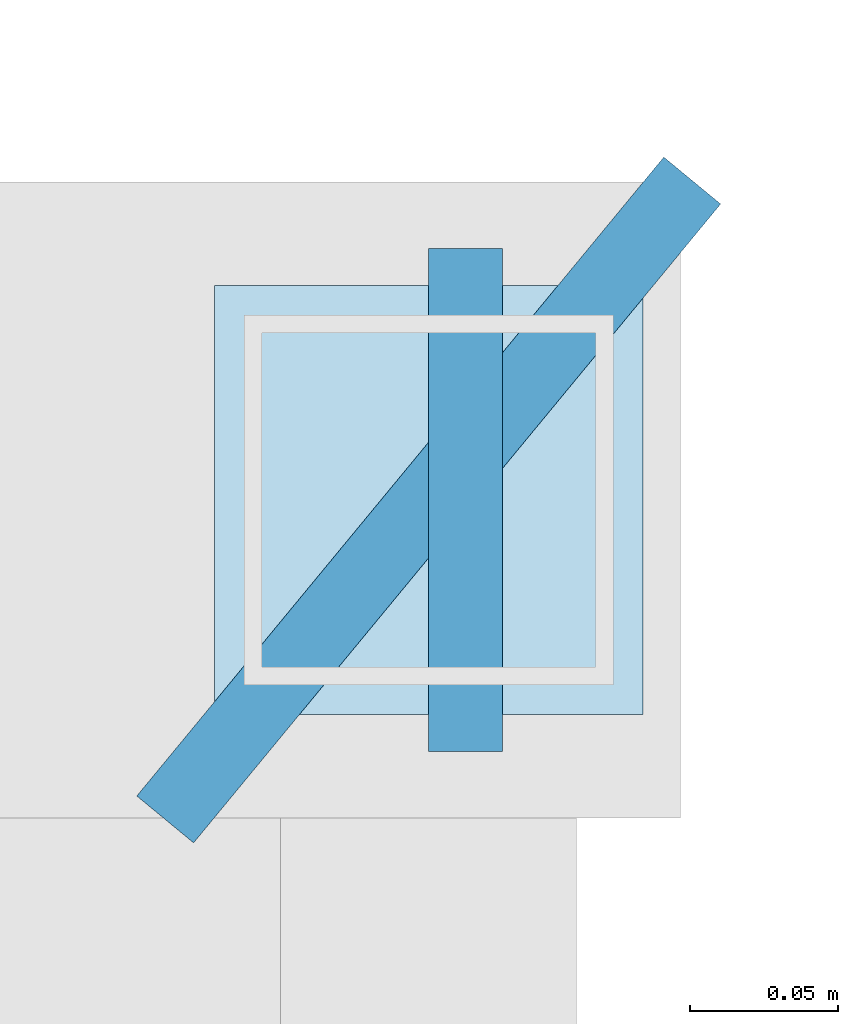
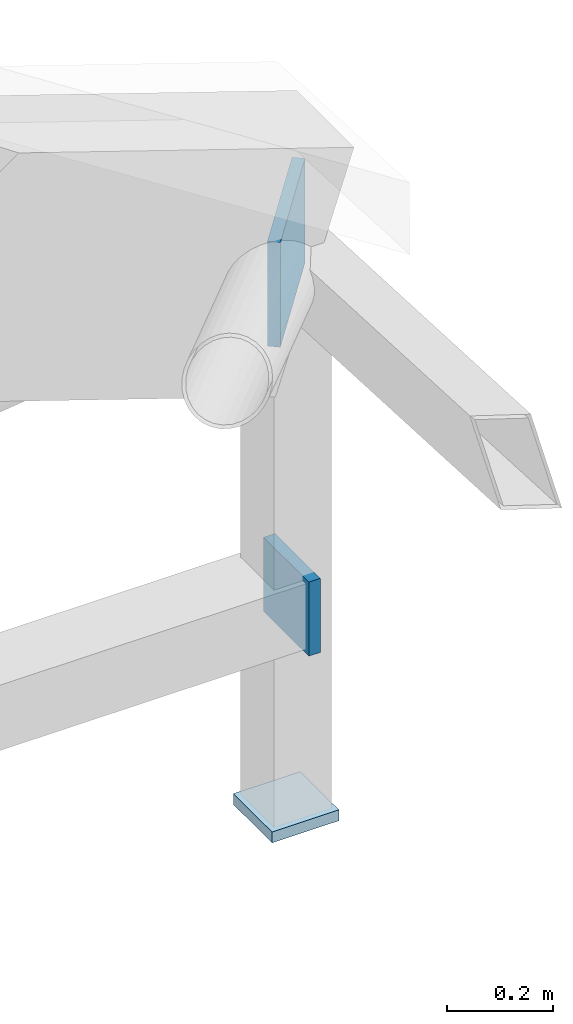
# One storey, part 107 of 134: 3 plates.
"""IFC4 building model written with IfcOpenShell, lengths in metres."""

import ifcopenshell
import ifcopenshell.guid

model = None  # the IFC model being written
_history = None  # IfcOwnerHistory: only IFC2X3 demands one
_inside = {}  # id of a spatial element -> (the spatial element, [elements in it])
_under = {}  # id of a project, library or spatial element -> (it, [spatial elements below it])
_declared = {}  # id of a project -> (the project, [libraries it declares])
_typed = {}  # id of a type object -> (the type object, [elements of that type])
_made_of = {}  # id of a material, layer set ... -> (it, [elements and type objects made of it])


def new_model(schema):
    """Start an empty IFC model of exactly this schema.

    Asked for "IFC4X3", IfcOpenShell would pick the latest addendum, in which some entities
    have other attributes; the version numbers below select the first issue.
    IFC2X3 requires an IfcOwnerHistory on every rooted entity: one is made here for all.
    """
    global model, _history
    if schema == "IFC4X3":
        model = ifcopenshell.file(schema_version=(4, 3, 0, 0))
    else:
        model = ifcopenshell.file(schema=schema)
    _inside.clear()
    _under.clear()
    _declared.clear()
    _typed.clear()
    _made_of.clear()
    _history = None
    if model.schema == "IFC2X3":
        org = make("IfcOrganization", Name="unknown")
        user = make(
            "IfcPersonAndOrganization",
            ThePerson=make("IfcPerson", FamilyName="unknown"),
            TheOrganization=org,
        )
        app = make(
            "IfcApplication",
            ApplicationDeveloper=org,
            Version="unknown",
            ApplicationFullName="unknown",
            ApplicationIdentifier="unknown",
        )
        _history = make(
            "IfcOwnerHistory",
            OwningUser=user,
            OwningApplication=app,
            ChangeAction="ADDED",
            CreationDate=0,
        )
    return model


def make(cls, **values):
    """One entity of the class cls with the attributes given. An attribute that is None is left unset."""
    return model.create_entity(
        cls, **{name: value for name, value in values.items() if value is not None}
    )


def rooted(cls, **values):
    """An entity with a GlobalId (a new one), such as an element, a storey or a relation."""
    return make(cls, GlobalId=ifcopenshell.guid.new(), OwnerHistory=_history, **values)


def si_unit(unit_type, name, prefix=None):
    """IfcSIUnit, for example si_unit("LENGTHUNIT", "METRE", prefix="MILLI")."""
    return make("IfcSIUnit", UnitType=unit_type, Prefix=prefix, Name=name)


def assignment(units):
    """IfcUnitAssignment: the units of a project."""
    return None if units is None else make("IfcUnitAssignment", Units=units)


def point(xyz):
    """IfcCartesianPoint."""
    return None if xyz is None else make("IfcCartesianPoint", Coordinates=xyz)


def direction(xyz):
    """IfcDirection."""
    return None if xyz is None else make("IfcDirection", DirectionRatios=xyz)


def frame(location, z_axis=None, x_axis=None):
    """IfcAxis2Placement3D, a coordinate frame: its origin and axes. An axis left out is left unset."""
    return make(
        "IfcAxis2Placement3D",
        Location=point(location),
        Axis=direction(z_axis),
        RefDirection=direction(x_axis),
    )


def frame_2d(location, x_axis=None):
    """IfcAxis2Placement2D, a coordinate frame in the plane: its origin and x axis."""
    return make(
        "IfcAxis2Placement2D", Location=point(location), RefDirection=direction(x_axis)
    )


def origin():
    """The frame at (0, 0, 0) with its axes left unset."""
    return frame((0.0, 0.0, 0.0))


def origin_2d():
    """The frame at (0, 0) in the plane with its x axis left unset."""
    return frame_2d((0.0, 0.0))


def place(relative_to, where):
    """IfcLocalPlacement: puts the frame where relative to a parent placement (None: the world)."""
    return make(
        "IfcLocalPlacement", PlacementRelTo=relative_to, RelativePlacement=where
    )


def context(
    kind, dimensions, precision=None, world=None, true_north=None, identifier=None
):
    """IfcGeometricRepresentationContext, for example the 3D "Model" context."""
    return make(
        "IfcGeometricRepresentationContext",
        ContextIdentifier=identifier,
        ContextType=kind,
        CoordinateSpaceDimension=dimensions,
        Precision=precision,
        WorldCoordinateSystem=world,
        TrueNorth=true_north,
    )


def subcontext(parent, identifier, kind, view, scale=None):
    """IfcGeometricRepresentationSubContext, for example "Body" below "Model"."""
    return make(
        "IfcGeometricRepresentationSubContext",
        ContextIdentifier=identifier,
        ContextType=kind,
        ParentContext=parent,
        TargetScale=scale,
        TargetView=view,
    )


def project(units=None, contexts=None):
    """IfcProject with its units and contexts."""
    return rooted(
        "IfcProject",
        Name="project",
        RepresentationContexts=contexts,
        UnitsInContext=assignment(units),
    )


def spatial(cls, under=None, at=None, **own):
    """A site, building, storey or space (cls), placed at a placement, below another one or the project."""
    s = rooted(cls, ObjectPlacement=at, **own)
    if under is not None:
        _under.setdefault(under.id(), (under, []))[1].append(s)
    return s


def profile(cls, at=None, kind="AREA", **sizes):
    """A parametric profile (cls). Its sizes go by their IFC names, for example OverallWidth=200.0."""
    return make(cls, ProfileType=kind, Position=at, **sizes)


def rectangle(**sizes):
    """IfcRectangleProfileDef."""
    return profile("IfcRectangleProfileDef", **sizes)


def extrude(swept, where, along, depth):
    """IfcExtrudedAreaSolid: the profile swept, set in the frame where, extruded along a direction by depth."""
    return make(
        "IfcExtrudedAreaSolid",
        SweptArea=swept,
        Position=where,
        ExtrudedDirection=direction(along),
        Depth=depth,
    )


def shape(context_of_items, identifier, shape_type, items):
    """IfcShapeRepresentation: the items that make up one representation, for example the "Body"."""
    return make(
        "IfcShapeRepresentation",
        ContextOfItems=context_of_items,
        RepresentationIdentifier=identifier,
        RepresentationType=shape_type,
        Items=items,
    )


def material(Name=None, Category=None):
    """IfcMaterial."""
    return make("IfcMaterial", Name=Name, Category=Category)


def layer(
    of_material, thickness, ventilated=None, Name=None, Category=None, Priority=None
):
    """IfcMaterialLayer: one layer of a wall or slab, of a material (None: an air gap)."""
    return make(
        "IfcMaterialLayer",
        Material=of_material,
        LayerThickness=thickness,
        IsVentilated=ventilated,
        Name=Name,
        Category=Category,
        Priority=Priority,
    )


def layer_set(layers, Name=None):
    """IfcMaterialLayerSet."""
    return make("IfcMaterialLayerSet", MaterialLayers=layers, LayerSetName=Name)


def made_of(thing, what):
    """Note that an element or type object is made of a material, layer set ...; save() writes the relation."""
    if what is not None:
        _made_of.setdefault(what.id(), (what, []))[1].append(thing)
    return thing


def type_object(cls, material=None, **own):
    """A type object (cls), such as IfcWallType, which elements share."""
    return made_of(rooted(cls, **own), material)


def element(
    cls,
    number,
    at=None,
    inside=None,
    cuts=None,
    type_object=None,
    material=None,
    context=None,
    identifier="Body",
    shape_type=None,
    held_by="IfcProductDefinitionShape",
    body=None,
    shapes=None,
    **own,
):
    """One element of the class cls, such as IfcWall. Its Tag is "e" and its number.

    at: its placement. inside: the storey or other place that contains it. cuts: it is an
    opening in that element (IfcRelVoidsElement). A single representation is given by context,
    identifier, shape_type and body (its items); several are given by shapes. held_by: the class
    of the entity that holds the representations. save() writes the other relations.
    """
    e = rooted(cls, Tag="e%d" % number, ObjectPlacement=at, **own)
    if body is not None:
        shapes = [shape(context, identifier, shape_type, body)]
    if shapes is not None:
        e.Representation = make(held_by, Representations=shapes)
    if inside is not None:
        _inside.setdefault(inside.id(), (inside, []))[1].append(e)
    if cuts is not None:
        rooted(
            "IfcRelVoidsElement", RelatingBuildingElement=cuts, RelatedOpeningElement=e
        )
    if type_object is not None:
        _typed.setdefault(type_object.id(), (type_object, []))[1].append(e)
    return made_of(e, material)


def aggregate(whole, parts):
    """IfcRelAggregates: a whole, such as a stair, and the parts it consists of."""
    return rooted("IfcRelAggregates", RelatingObject=whole, RelatedObjects=parts)


def save(model, path):
    """Write the relations noted so far, then the file.

    IfcRelAggregates (storeys below a building ...), IfcRelContainedInSpatialStructure (elements
    in a storey), IfcRelDefinesByType, IfcRelAssociatesMaterial and IfcRelDeclares: one each for
    every whole, place, type object, material and project.
    """
    for whole, parts in _under.values():
        aggregate(whole, parts)
    for where, things in _inside.values():
        rooted(
            "IfcRelContainedInSpatialStructure",
            RelatedElements=things,
            RelatingStructure=where,
        )
    for kind, things in _typed.values():
        rooted("IfcRelDefinesByType", RelatedObjects=things, RelatingType=kind)
    for what, things in _made_of.values():
        rooted("IfcRelAssociatesMaterial", RelatedObjects=things, RelatingMaterial=what)
    for by, libraries in _declared.values():
        rooted("IfcRelDeclares", RelatingContext=by, RelatedDefinitions=libraries)
    model.write(path)


model = new_model("IFC4")

# Units and contexts
model_context = context("Model", 3, precision=1e-05, world=origin(), true_north=direction((0.0, 1.0)))
body_context = subcontext(model_context, "Body", "Model", "MODEL_VIEW")
ifc_project = project(units=[si_unit("LENGTHUNIT", "METRE"), si_unit("AREAUNIT", "SQUARE_METRE"), si_unit("VOLUMEUNIT", "CUBIC_METRE"), si_unit("PLANEANGLEUNIT", "RADIAN"), si_unit("MASSUNIT", "GRAM", prefix="KILO")], contexts=[model_context])

# Site, building, storey
site_placement = place(None, origin())
site = spatial("IfcSite", under=ifc_project, at=site_placement, CompositionType="ELEMENT")
building_placement = place(site_placement, origin())
building = spatial("IfcBuilding", under=site, at=building_placement, Name="Karori Crest Natural Sciences Institute", CompositionType="ELEMENT")
storey_placement = place(building_placement, frame((0.0, 0.0, 21.699951171875)))
storey = spatial("IfcBuildingStorey", under=building, at=storey_placement, Name="L05", CompositionType="ELEMENT", Elevation=21.699951171875)

# Plates
ifc_material = material(Name="Structural steel AS/NZS 3679.1 Grade 350", Category="steel")
ifc_layer_1 = layer(ifc_material, 0.02490234375, Name="Structural steel AS/NZS 3679.1 Grade 350")
ifc_layer_set_1 = layer_set([ifc_layer_1], Name="Structural steel AS/NZS 3679.1 Grade 350")
plate_type_1 = type_object("IfcPlateType", Name="PLT-06", PredefinedType="SHEET", material=ifc_layer_set_1)
plate_1_placement = place(storey_placement, frame((27.21240234375, 55.0, 0.03515625), z_axis=(0.0, 0.0, 1.0), x_axis=(1.0, 0.0, 0.0)))
element("IfcPlate", 1, at=plate_1_placement, inside=storey, type_object=plate_type_1, Name="Hollow section end cap EP-0356", PredefinedType="SHEET", context=body_context, shape_type="SweptSolid", body=[
    extrude(rectangle(XDim=0.02490234375, YDim=0.169921875, at=origin_2d()), origin(), (0.0, 0.0, 1.0), 0.169921875),
])
ifc_layer_2 = layer(ifc_material, 0.02490234375, Name="Structural steel AS/NZS 3679.1 Grade 350")
ifc_layer_set_2 = layer_set([ifc_layer_2], Name="Structural steel AS/NZS 3679.1 Grade 350")
plate_type_2 = type_object("IfcPlateType", Name="PLT-06-EL", PredefinedType="SHEET", material=ifc_layer_set_2)
plate_2_placement = place(storey_placement, frame((27.199951171875, 55.0, 0.7900390625), z_axis=(0.0, 0.0, 1.0), x_axis=(0.636382533792, 0.771373625868, 0.0)))
element("IfcPlate", 2, at=plate_2_placement, inside=storey, type_object=plate_type_2, Name="Brace gusset plate EP-0351", PredefinedType="SHEET", context=body_context, shape_type="SweptSolid", body=[
    extrude(rectangle(XDim=0.280029296875, YDim=0.02490234375, at=origin_2d()), origin(), (0.0, 0.0, 1.0), 0.239990234375),
])
plate_3_placement = place(storey_placement, frame((27.199951171875, 55.0, -0.375), z_axis=(0.0, 0.0, 1.0), x_axis=(1.0, 0.0, 0.0)))
element("IfcPlate", 3, at=plate_3_placement, inside=storey, type_object=plate_type_2, Name="Hollow section end cap EP-0354", PredefinedType="SHEET", context=body_context, shape_type="SweptSolid", body=[
    extrude(rectangle(XDim=0.14501953125, YDim=0.14501953125, at=origin_2d()), origin(), (0.0, 0.0, 1.0), 0.02490234375),
])

save(model, "model.ifc")
